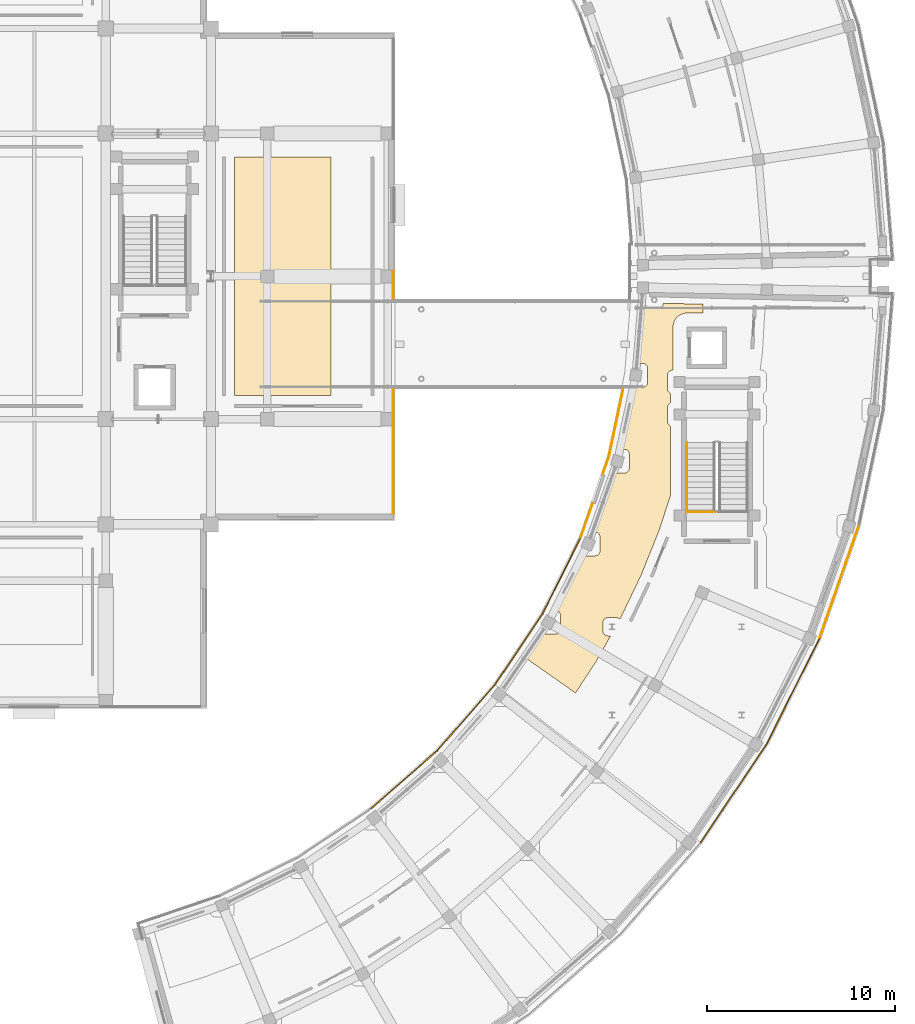
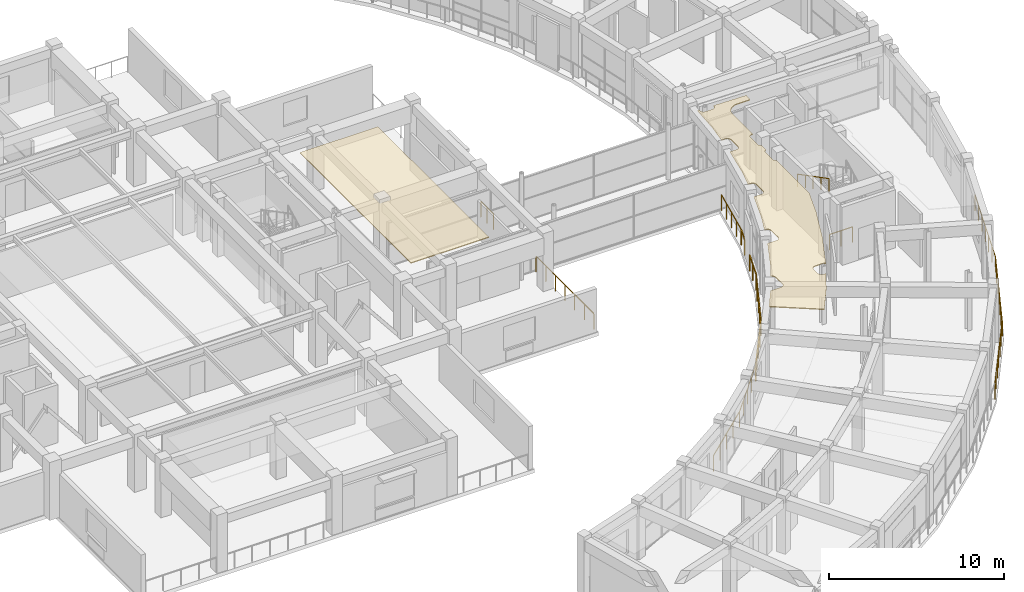
# One storey, part 63 of 70: 14 railings, 2 coverings.
"""IFC4 building model written with IfcOpenShell, lengths in metres."""

from ifc_helpers import new_model, si_unit, direction, frame, origin, origin_2d, place, context, subcontext, project, spatial, polyline, rectangle, outline, extrude, material, layer, layer_set, type_object, element, save


model = new_model("IFC4")

# Units and contexts
model_context = context("Model", 3, precision=1e-05, world=origin(), true_north=direction((0.0, 1.0)))
body_context = subcontext(model_context, "Body", "Model", "MODEL_VIEW")
ifc_project = project(units=[si_unit("LENGTHUNIT", "METRE"), si_unit("AREAUNIT", "SQUARE_METRE"), si_unit("VOLUMEUNIT", "CUBIC_METRE"), si_unit("PLANEANGLEUNIT", "RADIAN"), si_unit("MASSUNIT", "GRAM", prefix="KILO")], contexts=[model_context])

# Site, building, storey
site_placement = place(None, origin())
site = spatial("IfcSite", under=ifc_project, at=site_placement, CompositionType="ELEMENT")
building_placement = place(site_placement, origin())
building = spatial("IfcBuilding", under=site, at=building_placement, Name="Saryqyr Civic Hall", CompositionType="ELEMENT")
storey_placement = place(building_placement, frame((0.0, 0.0, 13.199951171875)))
storey = spatial("IfcBuildingStorey", under=building, at=storey_placement, Name="L03", CompositionType="ELEMENT", Elevation=13.199951171875)

# Coverings
ifc_material_1 = material(Name="Mineral-fibre acoustic ceiling tile", Category="acoustic_tile")
ifc_layer_1 = layer(ifc_material_1, 0.06005859375, Name="Mineral-fibre acoustic ceiling tile")
ifc_layer_set_1 = layer_set([ifc_layer_1], Name="Mineral-fibre acoustic ceiling tile")
covering_type = type_object("IfcCoveringType", Name="INT-COV-CEIL-60", PredefinedType="CEILING", material=ifc_layer_set_1)
covering_1_placement = place(storey_placement, frame((0.0, 0.0, 3.72998046875)))
element("IfcCovering", 1, at=covering_1_placement, inside=storey, type_object=covering_type, Name="Acoustic ceiling Legal Counsel & Legislative Drafting Suite", PredefinedType="CEILING", context=body_context, shape_type="SweptSolid", body=[
    extrude(outline(polyline([(91.97021484375, 65.7421875), (91.956787109375, 65.7568359375), (91.938720703125, 65.773193359375), (91.9189453125, 65.787841796875), (91.897705078125, 65.800537109375), (91.875732421875, 65.81103515625), (91.8525390625, 65.819091796875), (91.828857421875, 65.8251953125), (91.804443359375, 65.828857421875), (91.780029296875, 65.830078125), (91.320068359375, 65.830078125), (91.29541015625, 65.828857421875), (91.271240234375, 65.8251953125), (91.247314453125, 65.819091796875), (91.224365234375, 65.81103515625), (91.2021484375, 65.800537109375), (91.18115234375, 65.787841796875), (91.161376953125, 65.773193359375), (91.143310546875, 65.7568359375), (91.126708984375, 65.738525390625), (91.112060546875, 65.718994140625), (91.099609375, 65.69775390625), (91.089111328125, 65.67578125), (91.080810546875, 65.652587890625), (91.07470703125, 65.62890625), (91.0712890625, 65.6044921875), (91.070068359375, 65.580078125), (91.070068359375, 65.1201171875), (91.0712890625, 65.095458984375), (91.07470703125, 65.0712890625), (91.080810546875, 65.04736328125), (91.089111328125, 65.0244140625), (91.099609375, 65.002197265625), (91.112060546875, 64.981201171875), (91.126708984375, 64.96142578125), (91.143310546875, 64.943115234375), (91.161376953125, 64.9267578125), (91.18115234375, 64.912109375), (91.2021484375, 64.8994140625), (91.224365234375, 64.888916015625), (91.247314453125, 64.880859375), (91.271240234375, 64.874755859375), (91.29541015625, 64.87109375), (91.320068359375, 64.8701171875), (91.47802734375, 64.8701171875), (90.707763671875, 63.50439453125), (89.609619140625, 61.824462890625), (87.006591796875, 63.650146484375), (87.862060546875, 64.958984375), (88.548583984375, 64.958984375), (88.572998046875, 64.960205078125), (88.597412109375, 64.9638671875), (88.62109375, 64.9697265625), (88.644287109375, 64.97802734375), (88.666259765625, 64.988525390625), (88.6875, 65.001220703125), (88.70703125, 65.015625), (88.725341796875, 65.0322265625), (88.74169921875, 65.05029296875), (88.75634765625, 65.070068359375), (88.76904296875, 65.09130859375), (88.779541015625, 65.11328125), (88.78759765625, 65.136474609375), (88.793701171875, 65.16015625), (88.79736328125, 65.1845703125), (88.798583984375, 65.208984375), (88.798583984375, 65.968994140625), (88.79736328125, 65.993408203125), (88.793701171875, 66.017822265625), (88.78759765625, 66.04150390625), (88.779541015625, 66.064697265625), (88.76904296875, 66.0869140625), (88.75634765625, 66.10791015625), (88.74169921875, 66.127685546875), (88.725341796875, 66.145751953125), (88.70703125, 66.162353515625), (88.6875, 66.177001953125), (88.666259765625, 66.189453125), (88.644287109375, 66.199951171875), (88.62109375, 66.208251953125), (88.597412109375, 66.214111328125), (88.588623046875, 66.215576171875), (89.146484375, 67.20458984375), (89.1630859375, 67.236328125), (90.07373046875, 69.129638671875), (90.661376953125, 69.129638671875), (90.685791015625, 69.130859375), (90.710205078125, 69.134521484375), (90.73388671875, 69.140380859375), (90.757080078125, 69.148681640625), (90.779296875, 69.1591796875), (90.80029296875, 69.171630859375), (90.820068359375, 69.186279296875), (90.838134765625, 69.202880859375), (90.854736328125, 69.220947265625), (90.869384765625, 69.24072265625), (90.8818359375, 69.26171875), (90.892333984375, 69.283935546875), (90.900634765625, 69.306884765625), (90.906494140625, 69.330810546875), (90.91015625, 69.35498046875), (90.911376953125, 69.379638671875), (90.911376953125, 70.1396484375), (90.91015625, 70.1640625), (90.906494140625, 70.1884765625), (90.900634765625, 70.212158203125), (90.892333984375, 70.2353515625), (90.8818359375, 70.25732421875), (90.869384765625, 70.278564453125), (90.854736328125, 70.298095703125), (90.838134765625, 70.31640625), (90.820068359375, 70.3330078125), (90.80029296875, 70.347412109375), (90.779296875, 70.360107421875), (90.757080078125, 70.37060546875), (90.73388671875, 70.37890625), (90.710205078125, 70.384765625), (90.685791015625, 70.388427734375), (90.661376953125, 70.3896484375), (90.59912109375, 70.3896484375), (91.061279296875, 71.536865234375), (91.073486328125, 71.570556640625), (91.72021484375, 73.537841796875), (92.21923828125, 73.537841796875), (92.24365234375, 73.5390625), (92.26806640625, 73.54248046875), (92.291748046875, 73.548583984375), (92.31494140625, 73.556884765625), (92.3369140625, 73.5673828125), (92.358154296875, 73.579833984375), (92.377685546875, 73.594482421875), (92.39599609375, 73.611083984375), (92.41259765625, 73.629150390625), (92.427001953125, 73.64892578125), (92.439697265625, 73.669921875), (92.4501953125, 73.692138671875), (92.45849609375, 73.715087890625), (92.46435546875, 73.739013671875), (92.468017578125, 73.76318359375), (92.46923828125, 73.787841796875), (92.46923828125, 74.5478515625), (92.468017578125, 74.572265625), (92.46435546875, 74.5966796875), (92.45849609375, 74.620361328125), (92.4501953125, 74.6435546875), (92.439697265625, 74.66552734375), (92.427001953125, 74.686767578125), (92.41259765625, 74.706298828125), (92.39599609375, 74.724609375), (92.377685546875, 74.7412109375), (92.358154296875, 74.755615234375), (92.3369140625, 74.768310546875), (92.31494140625, 74.77880859375), (92.291748046875, 74.787109375), (92.26806640625, 74.79296875), (92.24365234375, 74.796630859375), (92.21923828125, 74.7978515625), (92.06396484375, 74.7978515625), (92.394775390625, 76.081787109375), (92.402587890625, 76.116943359375), (92.779541015625, 78.10986328125), (93.19580078125, 78.10986328125), (93.22021484375, 78.111083984375), (93.24462890625, 78.11474609375), (93.268310546875, 78.12060546875), (93.29150390625, 78.12890625), (93.313720703125, 78.139404296875), (93.334716796875, 78.152099609375), (93.3544921875, 78.16650390625), (93.37255859375, 78.18310546875), (93.38916015625, 78.201416015625), (93.40380859375, 78.220947265625), (93.416259765625, 78.2421875), (93.4267578125, 78.26416015625), (93.43505859375, 78.287353515625), (93.44091796875, 78.31103515625), (93.444580078125, 78.33544921875), (93.44580078125, 78.35986328125), (93.44580078125, 79.119873046875), (93.444580078125, 79.144287109375), (93.44091796875, 79.168701171875), (93.43505859375, 79.1923828125), (93.4267578125, 79.215576171875), (93.416259765625, 79.23779296875), (93.40380859375, 79.2587890625), (93.38916015625, 79.278564453125), (93.37255859375, 79.296630859375), (93.3544921875, 79.313232421875), (93.334716796875, 79.327880859375), (93.313720703125, 79.34033203125), (93.29150390625, 79.350830078125), (93.268310546875, 79.359130859375), (93.24462890625, 79.364990234375), (93.22021484375, 79.36865234375), (93.19580078125, 79.369873046875), (92.954833984375, 79.369873046875), (93.124755859375, 80.76171875), (93.1279296875, 80.797607421875), (93.229248046875, 82.595947265625), (93.33349609375, 82.593505859375), (93.33349609375, 82.533447265625), (93.334716796875, 82.509033203125), (93.33837890625, 82.484619140625), (93.34423828125, 82.4609375), (93.3525390625, 82.437744140625), (93.363037109375, 82.415771484375), (93.37548828125, 82.39453125), (93.39013671875, 82.375), (93.40673828125, 82.356689453125), (93.4248046875, 82.340087890625), (93.444580078125, 82.32568359375), (93.4658203125, 82.31298828125), (93.48779296875, 82.302490234375), (93.510986328125, 82.294189453125), (93.53466796875, 82.288330078125), (93.55908203125, 82.28466796875), (93.58349609375, 82.283447265625), (94.0166015625, 82.283447265625), (94.041015625, 82.28466796875), (94.065185546875, 82.288330078125), (94.089111328125, 82.294189453125), (94.1123046875, 82.302490234375), (94.13427734375, 82.31298828125), (94.155517578125, 82.32568359375), (94.175048828125, 82.340087890625), (94.193359375, 82.356689453125), (94.209716796875, 82.375), (94.224365234375, 82.39453125), (94.237060546875, 82.415771484375), (94.24755859375, 82.437744140625), (94.255615234375, 82.4609375), (94.26171875, 82.484619140625), (94.265380859375, 82.509033203125), (94.2666015625, 82.533447265625), (94.2666015625, 82.571533203125), (96.40771484375, 82.52099609375), (96.38134765625, 82.050048828125), (95.550048828125, 82.050048828125), (95.530517578125, 82.049560546875), (95.49609375, 82.0478515625), (95.45703125, 82.0439453125), (95.423095703125, 82.038818359375), (95.384521484375, 82.03125), (95.351318359375, 82.02294921875), (95.313720703125, 82.011474609375), (95.28125, 82.0), (95.2451171875, 81.985107421875), (95.214111328125, 81.97021484375), (95.179443359375, 81.951904296875), (95.14990234375, 81.93408203125), (95.1171875, 81.912353515625), (95.089599609375, 81.891845703125), (95.059326171875, 81.866943359375), (95.033935546875, 81.843994140625), (95.006103515625, 81.816162109375), (94.983154296875, 81.790771484375), (94.958251953125, 81.76025390625), (94.937744140625, 81.732666015625), (94.916015625, 81.7001953125), (94.898193359375, 81.670654296875), (94.879638671875, 81.635986328125), (94.864990234375, 81.60498046875), (94.85009765625, 81.568603515625), (94.83837890625, 81.536376953125), (94.8271484375, 81.498779296875), (94.818603515625, 81.465576171875), (94.81103515625, 81.427001953125), (94.805908203125, 81.39306640625), (94.80224609375, 81.35400390625), (94.800537109375, 81.319580078125), (94.800048828125, 81.300048828125), (94.800048828125, 79.10009765625), (94.800537109375, 79.080322265625), (94.80224609375, 79.046142578125), (94.8056640625, 79.010009765625), (94.760009765625, 79.010009765625), (94.735595703125, 79.0087890625), (94.711181640625, 79.005126953125), (94.6875, 78.999267578125), (94.664306640625, 78.990966796875), (94.64208984375, 78.98046875), (94.62109375, 78.968017578125), (94.601318359375, 78.953369140625), (94.583251953125, 78.936767578125), (94.566650390625, 78.918701171875), (94.552001953125, 78.89892578125), (94.53955078125, 78.877685546875), (94.529052734375, 78.855712890625), (94.520751953125, 78.83251953125), (94.514892578125, 78.808837890625), (94.51123046875, 78.784423828125), (94.510009765625, 78.760009765625), (94.510009765625, 78.0), (94.51123046875, 77.9755859375), (94.514892578125, 77.951171875), (94.520751953125, 77.927490234375), (94.529052734375, 77.904296875), (94.53955078125, 77.882080078125), (94.552001953125, 77.861083984375), (94.566650390625, 77.84130859375), (94.583251953125, 77.8232421875), (94.601318359375, 77.806640625), (94.62109375, 77.7919921875), (94.64208984375, 77.779541015625), (94.659912109375, 77.77099609375), (94.659912109375, 77.2587890625), (94.64208984375, 77.25048828125), (94.62109375, 77.23779296875), (94.601318359375, 77.223388671875), (94.583251953125, 77.206787109375), (94.566650390625, 77.188720703125), (94.552001953125, 77.1689453125), (94.53955078125, 77.147705078125), (94.529052734375, 77.125732421875), (94.520751953125, 77.1025390625), (94.514892578125, 77.078857421875), (94.51123046875, 77.054443359375), (94.510009765625, 77.030029296875), (94.510009765625, 76.27001953125), (94.51123046875, 76.24560546875), (94.514892578125, 76.22119140625), (94.520751953125, 76.197509765625), (94.529052734375, 76.17431640625), (94.53955078125, 76.152099609375), (94.552001953125, 76.131103515625), (94.566650390625, 76.111328125), (94.583251953125, 76.09326171875), (94.601318359375, 76.07666015625), (94.62109375, 76.06201171875), (94.64208984375, 76.049560546875), (94.659912109375, 76.041015625), (94.659912109375, 72.31298828125), (94.05419921875, 70.462158203125), (93.09130859375, 68.072021484375), (91.97412109375, 65.749267578125), (91.97021484375, 65.7421875)])), origin(), (0.0, 0.0, 1.0), 0.06005859375),
])
covering_2_placement = place(storey_placement, frame((0.0, 0.0, 3.72998046875)))
element("IfcCovering", 2, at=covering_2_placement, inside=storey, type_object=covering_type, Name="Acoustic ceiling Staff Welfare Lounge & Accessible MGN WC L03", PredefinedType="CEILING", context=body_context, shape_type="SweptSolid", body=[
    extrude(outline(polyline([(71.449951171875, 77.64990234375), (71.449951171875, 90.35009765625), (76.60009765625, 90.35009765625), (76.60009765625, 77.64990234375), (71.449951171875, 77.64990234375)])), origin(), (0.0, 0.0, 1.0), 0.06005859375),
])

# Railings
ifc_material_2 = material(Name="Warm brushed brass and laminated glass", Category="glass")
ifc_layer_2 = layer(ifc_material_2, 0.06005859375, Name="Warm brushed brass and laminated glass")
ifc_layer_set_2 = layer_set([ifc_layer_2], Name="Warm brushed brass and laminated glass")
railing_type_1 = type_object("IfcRailingType", Name="INT-RLG-BAL-1100", PredefinedType="BALUSTRADE", material=ifc_layer_set_2)
railing_1_placement = place(storey_placement, frame((79.89990234375, 84.284912109375, 0.0)))
element("IfcRailing", 3, at=railing_1_placement, inside=storey, type_object=railing_type_1, Name="Interior deck safety balustrade L03-032", PredefinedType="BALUSTRADE", context=body_context, shape_type="SweptSolid", body=[
    extrude(rectangle(XDim=0.048095703125, YDim=0.048095703125, at=origin_2d()), frame((0.0, 0.0, 1.09619140625), z_axis=(0.0, -1.0, 0.0), x_axis=(1.0, 0.0, 0.0)), (0.0, 0.0, 1.0), 1.44482421875),
    extrude(rectangle(XDim=0.0419921875, YDim=0.0419921875, at=origin_2d()), origin(), (0.0, 0.0, 1.0), 1.072021484375),
    extrude(rectangle(XDim=0.0419921875, YDim=0.0419921875, at=origin_2d()), frame((0.0, -0.722412109375, 0.0)), (0.0, 0.0, 1.0), 1.072021484375),
    extrude(rectangle(XDim=0.0419921875, YDim=0.0419921875, at=origin_2d()), frame((0.0, -1.44482421875, 0.0)), (0.0, 0.0, 1.0), 1.072021484375),
])
railing_2_placement = place(storey_placement, frame((104.683349609375, 70.71337890625, 0.0)))
element("IfcRailing", 4, at=railing_2_placement, inside=storey, type_object=railing_type_1, Name="Interior deck safety balustrade L03-062", PredefinedType="BALUSTRADE", context=body_context, shape_type="SweptSolid", body=[
    extrude(rectangle(XDim=0.048095703125, YDim=0.048095703125, at=origin_2d()), frame((0.0, 0.0, 1.09619140625), z_axis=(-0.329288741156, -0.944229275625, 0.0), x_axis=(0.944229275625, -0.329288741156, 0.0)), (0.0, 0.0, 1.0), 6.31103515625),
    extrude(rectangle(XDim=0.0419921875, YDim=0.0419921875, at=origin_2d()), origin(), (0.0, 0.0, 1.0), 1.072021484375),
    extrude(rectangle(XDim=0.0419921875, YDim=0.0419921875, at=origin_2d()), frame((-0.346435546875, -0.9931640625, 0.0)), (0.0, 0.0, 1.0), 1.072021484375),
    extrude(rectangle(XDim=0.0419921875, YDim=0.0419921875, at=origin_2d()), frame((-0.692626953125, -1.986328125, 0.0)), (0.0, 0.0, 1.0), 1.072021484375),
    extrude(rectangle(XDim=0.0419921875, YDim=0.0419921875, at=origin_2d()), frame((-1.0390625, -2.9794921875, 0.0)), (0.0, 0.0, 1.0), 1.072021484375),
    extrude(rectangle(XDim=0.0419921875, YDim=0.0419921875, at=origin_2d()), frame((-1.385498046875, -3.97265625, 0.0)), (0.0, 0.0, 1.0), 1.072021484375),
    extrude(rectangle(XDim=0.0419921875, YDim=0.0419921875, at=origin_2d()), frame((-1.731689453125, -4.9658203125, 0.0)), (0.0, 0.0, 1.0), 1.072021484375),
    extrude(rectangle(XDim=0.0419921875, YDim=0.0419921875, at=origin_2d()), frame((-2.078125, -5.958984375, 0.0)), (0.0, 0.0, 1.0), 1.072021484375),
])
railing_3_placement = place(storey_placement, frame((102.605224609375, 64.75439453125, 0.0)))
element("IfcRailing", 5, at=railing_3_placement, inside=storey, type_object=railing_type_1, Name="Interior deck safety balustrade L03-063", PredefinedType="BALUSTRADE", context=body_context, shape_type="SweptSolid", body=[
    extrude(rectangle(XDim=0.048095703125, YDim=0.048095703125, at=origin_2d()), frame((0.0, 0.0, 1.09619140625), z_axis=(-0.446733837766, -0.894666909076, 0.0), x_axis=(0.894666909076, -0.446733837766, 0.0)), (0.0, 0.0, 1.0), 6.31103515625),
    extrude(rectangle(XDim=0.0419921875, YDim=0.0419921875, at=origin_2d()), origin(), (0.0, 0.0, 1.0), 1.072021484375),
    extrude(rectangle(XDim=0.0419921875, YDim=0.0419921875, at=origin_2d()), frame((-0.469970703125, -0.94091796875, 0.0)), (0.0, 0.0, 1.0), 1.072021484375),
    extrude(rectangle(XDim=0.0419921875, YDim=0.0419921875, at=origin_2d()), frame((-0.939697265625, -1.882080078125, 0.0)), (0.0, 0.0, 1.0), 1.072021484375),
    extrude(rectangle(XDim=0.0419921875, YDim=0.0419921875, at=origin_2d()), frame((-1.40966796875, -2.8232421875, 0.0)), (0.0, 0.0, 1.0), 1.072021484375),
    extrude(rectangle(XDim=0.0419921875, YDim=0.0419921875, at=origin_2d()), frame((-1.879638671875, -3.76416015625, 0.0)), (0.0, 0.0, 1.0), 1.072021484375),
    extrude(rectangle(XDim=0.0419921875, YDim=0.0419921875, at=origin_2d()), frame((-2.349365234375, -4.705078125, 0.0)), (0.0, 0.0, 1.0), 1.072021484375),
    extrude(rectangle(XDim=0.0419921875, YDim=0.0419921875, at=origin_2d()), frame((-2.8193359375, -5.646240234375, 0.0)), (0.0, 0.0, 1.0), 1.072021484375),
])
railing_4_placement = place(storey_placement, frame((99.785888671875, 59.108154296875, 0.0)))
element("IfcRailing", 6, at=railing_4_placement, inside=storey, type_object=railing_type_1, Name="Interior deck safety balustrade L03-064", PredefinedType="BALUSTRADE", context=body_context, shape_type="SweptSolid", body=[
    extrude(rectangle(XDim=0.048095703125, YDim=0.048095703125, at=origin_2d()), frame((0.0, 0.0, 1.09619140625), z_axis=(-0.556965587004, -0.830535571119, 0.0), x_axis=(0.830535571119, -0.556965587004, 0.0)), (0.0, 0.0, 1.0), 6.311279296875),
    extrude(rectangle(XDim=0.0419921875, YDim=0.0419921875, at=origin_2d()), origin(), (0.0, 0.0, 1.0), 1.072021484375),
    extrude(rectangle(XDim=0.0419921875, YDim=0.0419921875, at=origin_2d()), frame((-0.5859375, -0.87353515625, 0.0)), (0.0, 0.0, 1.0), 1.072021484375),
    extrude(rectangle(XDim=0.0419921875, YDim=0.0419921875, at=origin_2d()), frame((-1.171630859375, -1.747314453125, 0.0)), (0.0, 0.0, 1.0), 1.072021484375),
    extrude(rectangle(XDim=0.0419921875, YDim=0.0419921875, at=origin_2d()), frame((-1.757568359375, -2.620849609375, 0.0)), (0.0, 0.0, 1.0), 1.072021484375),
    extrude(rectangle(XDim=0.0419921875, YDim=0.0419921875, at=origin_2d()), frame((-2.343505859375, -3.494384765625, 0.0)), (0.0, 0.0, 1.0), 1.072021484375),
    extrude(rectangle(XDim=0.0419921875, YDim=0.0419921875, at=origin_2d()), frame((-2.92919921875, -4.3681640625, 0.0)), (0.0, 0.0, 1.0), 1.072021484375),
    extrude(rectangle(XDim=0.0419921875, YDim=0.0419921875, at=origin_2d()), frame((-3.51513671875, -5.24169921875, 0.0)), (0.0, 0.0, 1.0), 1.072021484375),
])
railing_5_placement = place(storey_placement, frame((78.73291015625, 55.677001953125, 0.0)))
element("IfcRailing", 7, at=railing_5_placement, inside=storey, type_object=railing_type_1, Name="Interior deck safety balustrade L03-075", PredefinedType="BALUSTRADE", context=body_context, shape_type="SweptSolid", body=[
    extrude(rectangle(XDim=0.048095703125, YDim=0.048095703125, at=origin_2d()), frame((0.0, 0.0, 1.09619140625), z_axis=(0.751834585706, 0.659351769343, 0.0), x_axis=(-0.659351769343, 0.751834585706, 0.0)), (0.0, 0.0, 1.0), 4.669921875),
    extrude(rectangle(XDim=0.0419921875, YDim=0.0419921875, at=origin_2d()), origin(), (0.0, 0.0, 1.0), 1.072021484375),
    extrude(rectangle(XDim=0.0419921875, YDim=0.0419921875, at=origin_2d()), frame((0.877685546875, 0.769775390625, 0.0)), (0.0, 0.0, 1.0), 1.072021484375),
    extrude(rectangle(XDim=0.0419921875, YDim=0.0419921875, at=origin_2d()), frame((1.75537109375, 1.53955078125, 0.0)), (0.0, 0.0, 1.0), 1.072021484375),
    extrude(rectangle(XDim=0.0419921875, YDim=0.0419921875, at=origin_2d()), frame((2.63330078125, 2.309326171875, 0.0)), (0.0, 0.0, 1.0), 1.072021484375),
    extrude(rectangle(XDim=0.0419921875, YDim=0.0419921875, at=origin_2d()), frame((3.510986328125, 3.0791015625, 0.0)), (0.0, 0.0, 1.0), 1.072021484375),
])
railing_6_placement = place(storey_placement, frame((82.243896484375, 58.756103515625, 0.0)))
element("IfcRailing", 8, at=railing_6_placement, inside=storey, type_object=railing_type_1, Name="Interior deck safety balustrade L03-076", PredefinedType="BALUSTRADE", context=body_context, shape_type="SweptSolid", body=[
    extrude(rectangle(XDim=0.048095703125, YDim=0.048095703125, at=origin_2d()), frame((0.0, 0.0, 1.09619140625), z_axis=(0.659351769343, 0.751834585706, 0.0), x_axis=(-0.751834585706, 0.659351769343, 0.0)), (0.0, 0.0, 1.0), 4.669921875),
    extrude(rectangle(XDim=0.0419921875, YDim=0.0419921875, at=origin_2d()), origin(), (0.0, 0.0, 1.0), 1.072021484375),
    extrude(rectangle(XDim=0.0419921875, YDim=0.0419921875, at=origin_2d()), frame((0.769775390625, 0.877685546875, 0.0)), (0.0, 0.0, 1.0), 1.072021484375),
    extrude(rectangle(XDim=0.0419921875, YDim=0.0419921875, at=origin_2d()), frame((1.53955078125, 1.75537109375, 0.0)), (0.0, 0.0, 1.0), 1.072021484375),
    extrude(rectangle(XDim=0.0419921875, YDim=0.0419921875, at=origin_2d()), frame((2.309326171875, 2.63330078125, 0.0)), (0.0, 0.0, 1.0), 1.072021484375),
    extrude(rectangle(XDim=0.0419921875, YDim=0.0419921875, at=origin_2d()), frame((3.0791015625, 3.510986328125, 0.0)), (0.0, 0.0, 1.0), 1.072021484375),
])
railing_7_placement = place(storey_placement, frame((85.322998046875, 62.26708984375, 0.0)))
element("IfcRailing", 9, at=railing_7_placement, inside=storey, type_object=railing_type_1, Name="Interior deck safety balustrade L03-077", PredefinedType="BALUSTRADE", context=body_context, shape_type="SweptSolid", body=[
    extrude(rectangle(XDim=0.048095703125, YDim=0.048095703125, at=origin_2d()), frame((0.0, 0.0, 1.09619140625), z_axis=(0.556913853802, 0.830570261593, 0.0), x_axis=(-0.830570261593, 0.556913853802, 0.0)), (0.0, 0.0, 1.0), 4.5517578125),
    extrude(rectangle(XDim=0.0419921875, YDim=0.0419921875, at=origin_2d()), origin(), (0.0, 0.0, 1.0), 1.072021484375),
    extrude(rectangle(XDim=0.0419921875, YDim=0.0419921875, at=origin_2d()), frame((0.6337890625, 0.945068359375, 0.0)), (0.0, 0.0, 1.0), 1.072021484375),
    extrude(rectangle(XDim=0.0419921875, YDim=0.0419921875, at=origin_2d()), frame((1.267578125, 1.89013671875, 0.0)), (0.0, 0.0, 1.0), 1.072021484375),
    extrude(rectangle(XDim=0.0419921875, YDim=0.0419921875, at=origin_2d()), frame((1.901123046875, 2.83544921875, 0.0)), (0.0, 0.0, 1.0), 1.072021484375),
    extrude(rectangle(XDim=0.0419921875, YDim=0.0419921875, at=origin_2d()), frame((2.534912109375, 3.780517578125, 0.0)), (0.0, 0.0, 1.0), 1.072021484375),
])
railing_8_placement = place(storey_placement, frame((87.85791015625, 66.047607421875, 0.0)))
element("IfcRailing", 10, at=railing_8_placement, inside=storey, type_object=railing_type_1, Name="Interior deck safety balustrade L03-078", PredefinedType="BALUSTRADE", context=body_context, shape_type="SweptSolid", body=[
    extrude(rectangle(XDim=0.048095703125, YDim=0.048095703125, at=origin_2d()), frame((0.0, 0.0, 1.09619140625), z_axis=(0.446762967387, 0.894652363195, 0.0), x_axis=(-0.894652363195, 0.446762967387, 0.0)), (0.0, 0.0, 1.0), 4.551513671875),
    extrude(rectangle(XDim=0.0419921875, YDim=0.0419921875, at=origin_2d()), origin(), (0.0, 0.0, 1.0), 1.072021484375),
    extrude(rectangle(XDim=0.0419921875, YDim=0.0419921875, at=origin_2d()), frame((0.50830078125, 1.01806640625, 0.0)), (0.0, 0.0, 1.0), 1.072021484375),
    extrude(rectangle(XDim=0.0419921875, YDim=0.0419921875, at=origin_2d()), frame((1.0166015625, 2.0361328125, 0.0)), (0.0, 0.0, 1.0), 1.072021484375),
    extrude(rectangle(XDim=0.0419921875, YDim=0.0419921875, at=origin_2d()), frame((1.525146484375, 3.053955078125, 0.0)), (0.0, 0.0, 1.0), 1.072021484375),
    extrude(rectangle(XDim=0.0419921875, YDim=0.0419921875, at=origin_2d()), frame((2.033447265625, 4.072021484375, 0.0)), (0.0, 0.0, 1.0), 1.072021484375),
])
railing_9_placement = place(storey_placement, frame((89.891357421875, 70.11962890625, 0.0)))
element("IfcRailing", 11, at=railing_9_placement, inside=storey, type_object=railing_type_1, Name="Interior deck safety balustrade L03-079", PredefinedType="BALUSTRADE", context=body_context, shape_type="SweptSolid", body=[
    extrude(rectangle(XDim=0.048095703125, YDim=0.048095703125, at=origin_2d()), frame((0.0, 0.0, 1.09619140625), z_axis=(0.329267128789, 0.944236812404, 0.0), x_axis=(-0.944236812404, 0.329267128789, 0.0)), (0.0, 0.0, 1.0), 1.927734375),
    extrude(rectangle(XDim=0.0419921875, YDim=0.0419921875, at=origin_2d()), origin(), (0.0, 0.0, 1.0), 1.072021484375),
    extrude(rectangle(XDim=0.0419921875, YDim=0.0419921875, at=origin_2d()), frame((0.3173828125, 0.91015625, 0.0)), (0.0, 0.0, 1.0), 1.072021484375),
    extrude(rectangle(XDim=0.0419921875, YDim=0.0419921875, at=origin_2d()), frame((0.634765625, 1.8203125, 0.0)), (0.0, 0.0, 1.0), 1.072021484375),
])
railing_10_placement = place(storey_placement, frame((91.05419921875, 73.45458984375, 0.0)))
element("IfcRailing", 12, at=railing_10_placement, inside=storey, type_object=railing_type_1, Name="Interior deck safety balustrade L03-080", PredefinedType="BALUSTRADE", context=body_context, shape_type="SweptSolid", body=[
    extrude(rectangle(XDim=0.048095703125, YDim=0.048095703125, at=origin_2d()), frame((0.0, 0.0, 1.09619140625), z_axis=(0.329411863339, 0.944186329223, 0.0), x_axis=(-0.944186329223, 0.329411863339, 0.0)), (0.0, 0.0, 1.0), 1.019775390625),
    extrude(rectangle(XDim=0.0419921875, YDim=0.0419921875, at=origin_2d()), origin(), (0.0, 0.0, 1.0), 1.072021484375),
    extrude(rectangle(XDim=0.0419921875, YDim=0.0419921875, at=origin_2d()), frame((0.3359375, 0.962890625, 0.0)), (0.0, 0.0, 1.0), 1.072021484375),
])
railing_11_placement = place(storey_placement, frame((91.39013671875, 74.41748046875, 0.0)))
element("IfcRailing", 13, at=railing_11_placement, inside=storey, type_object=railing_type_1, Name="Interior deck safety balustrade L03-081", PredefinedType="BALUSTRADE", context=body_context, shape_type="SweptSolid", body=[
    extrude(rectangle(XDim=0.048095703125, YDim=0.048095703125, at=origin_2d()), frame((0.0, 0.0, 1.09619140625), z_axis=(0.206479446737, 0.978450938001, 0.0), x_axis=(-0.978450938001, 0.206479446737, 0.0)), (0.0, 0.0, 1.0), 3.62060546875),
    extrude(rectangle(XDim=0.0419921875, YDim=0.0419921875, at=origin_2d()), origin(), (0.0, 0.0, 1.0), 1.072021484375),
    extrude(rectangle(XDim=0.0419921875, YDim=0.0419921875, at=origin_2d()), frame((0.18701171875, 0.8857421875, 0.0)), (0.0, 0.0, 1.0), 1.072021484375),
    extrude(rectangle(XDim=0.0419921875, YDim=0.0419921875, at=origin_2d()), frame((0.373779296875, 1.771240234375, 0.0)), (0.0, 0.0, 1.0), 1.072021484375),
    extrude(rectangle(XDim=0.0419921875, YDim=0.0419921875, at=origin_2d()), frame((0.560546875, 2.65673828125, 0.0)), (0.0, 0.0, 1.0), 1.072021484375),
    extrude(rectangle(XDim=0.0419921875, YDim=0.0419921875, at=origin_2d()), frame((0.74755859375, 3.54248046875, 0.0)), (0.0, 0.0, 1.0), 1.072021484375),
])
railing_12_placement = place(storey_placement, frame((79.89990234375, 77.9599609375, 0.0)))
element("IfcRailing", 14, at=railing_12_placement, inside=storey, type_object=railing_type_1, Name="Interior deck safety balustrade L03-082", PredefinedType="BALUSTRADE", context=body_context, shape_type="SweptSolid", body=[
    extrude(rectangle(XDim=0.048095703125, YDim=0.048095703125, at=origin_2d()), frame((0.0, 0.0, 1.09619140625), z_axis=(0.0, -1.0, 0.0), x_axis=(1.0, 0.0, 0.0)), (0.0, 0.0, 1.0), 6.594970703125),
    extrude(rectangle(XDim=0.0419921875, YDim=0.0419921875, at=origin_2d()), origin(), (0.0, 0.0, 1.0), 1.072021484375),
    extrude(rectangle(XDim=0.0419921875, YDim=0.0419921875, at=origin_2d()), frame((0.0, -1.09912109375, 0.0)), (0.0, 0.0, 1.0), 1.072021484375),
    extrude(rectangle(XDim=0.0419921875, YDim=0.0419921875, at=origin_2d()), frame((0.0, -2.1982421875, 0.0)), (0.0, 0.0, 1.0), 1.072021484375),
    extrude(rectangle(XDim=0.0419921875, YDim=0.0419921875, at=origin_2d()), frame((0.0, -3.29736328125, 0.0)), (0.0, 0.0, 1.0), 1.072021484375),
    extrude(rectangle(XDim=0.0419921875, YDim=0.0419921875, at=origin_2d()), frame((0.0, -4.396728515625, 0.0)), (0.0, 0.0, 1.0), 1.072021484375),
    extrude(rectangle(XDim=0.0419921875, YDim=0.0419921875, at=origin_2d()), frame((0.0, -5.495849609375, 0.0)), (0.0, 0.0, 1.0), 1.072021484375),
    extrude(rectangle(XDim=0.0419921875, YDim=0.0419921875, at=origin_2d()), frame((0.0, -6.594970703125, 0.0)), (0.0, 0.0, 1.0), 1.072021484375),
])
railing_13_placement = place(storey_placement, frame((95.52490234375, 71.4599609375, 0.0)))
element("IfcRailing", 15, at=railing_13_placement, inside=storey, type_object=railing_type_1, Name="Interior deck safety balustrade L03-094", PredefinedType="BALUSTRADE", context=body_context, shape_type="SweptSolid", body=[
    extrude(rectangle(XDim=0.048095703125, YDim=0.048095703125, at=origin_2d()), frame((0.0, 0.0, 1.09619140625), z_axis=(1.0, 0.0, 0.0), x_axis=(0.0, 1.0, 0.0)), (0.0, 0.0, 1.0), 1.51513671875),
    extrude(rectangle(XDim=0.0419921875, YDim=0.0419921875, at=origin_2d()), origin(), (0.0, 0.0, 1.0), 1.072021484375),
    extrude(rectangle(XDim=0.0419921875, YDim=0.0419921875, at=origin_2d()), frame((0.757568359375, 0.0, 0.0)), (0.0, 0.0, 1.0), 1.072021484375),
    extrude(rectangle(XDim=0.0419921875, YDim=0.0419921875, at=origin_2d()), frame((1.51513671875, 0.0, 0.0)), (0.0, 0.0, 1.0), 1.072021484375),
])
ifc_material_3 = material(Name="Stainless steel", Category="steel")
ifc_layer_3 = layer(ifc_material_3, 0.050048828125, Name="Stainless steel")
ifc_layer_set_3 = layer_set([ifc_layer_3], Name="Stainless steel")
railing_type_2 = type_object("IfcRailingType", Name="INT-RLG-HND-900", PredefinedType="HANDRAIL", material=ifc_layer_set_3)
railing_14_placement = place(storey_placement, frame((95.530029296875, 75.159912109375, 2.180908203125)))
element("IfcRailing", 16, at=railing_14_placement, inside=storey, type_object=railing_type_2, Name="L03 ST-5 stair handrail 2", PredefinedType="HANDRAIL", context=body_context, shape_type="SweptSolid", body=[
    extrude(rectangle(XDim=0.048095703125, YDim=0.048095703125, at=origin_2d()), frame((0.0, 0.0, 0.8759765625), z_axis=(0.0, -0.887497496945, 0.460812535545), x_axis=(1.0, 0.0, 0.0)), (0.0, 0.0, 1.0), 4.05615234375),
    extrude(rectangle(XDim=0.0419921875, YDim=0.0419921875, at=origin_2d()), origin(), (0.0, 0.0, 1.0), 0.851806640625),
    extrude(rectangle(XDim=0.0419921875, YDim=0.0419921875, at=origin_2d()), frame((0.0, -0.89990234375, 0.46728515625)), (0.0, 0.0, 1.0), 0.851806640625),
    extrude(rectangle(XDim=0.0419921875, YDim=0.0419921875, at=origin_2d()), frame((0.0, -1.7998046875, 0.9345703125)), (0.0, 0.0, 1.0), 0.851806640625),
    extrude(rectangle(XDim=0.0419921875, YDim=0.0419921875, at=origin_2d()), frame((0.0, -2.699951171875, 1.40185546875)), (0.0, 0.0, 1.0), 0.851806640625),
    extrude(rectangle(XDim=0.0419921875, YDim=0.0419921875, at=origin_2d()), frame((0.0, -3.599853515625, 1.869140625)), (0.0, 0.0, 1.0), 0.851806640625),
])

save(model, "model.ifc")
